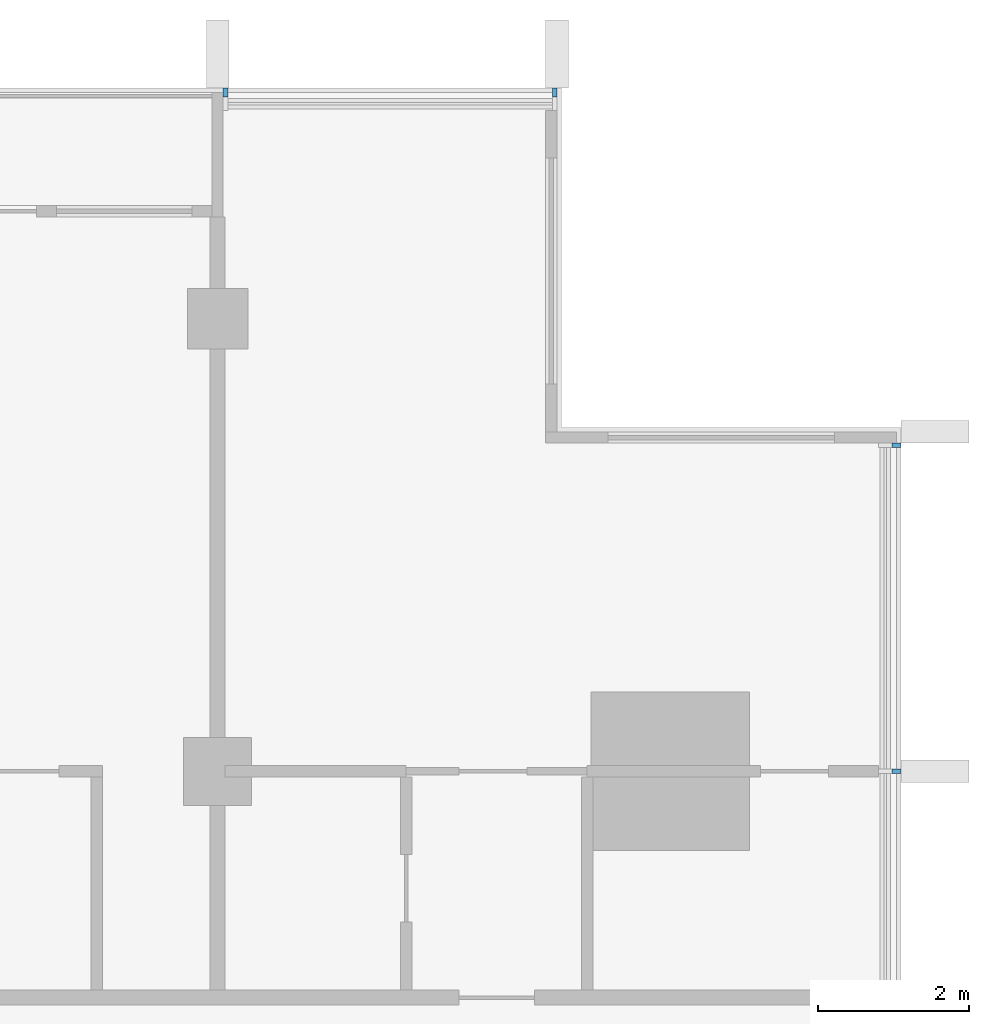
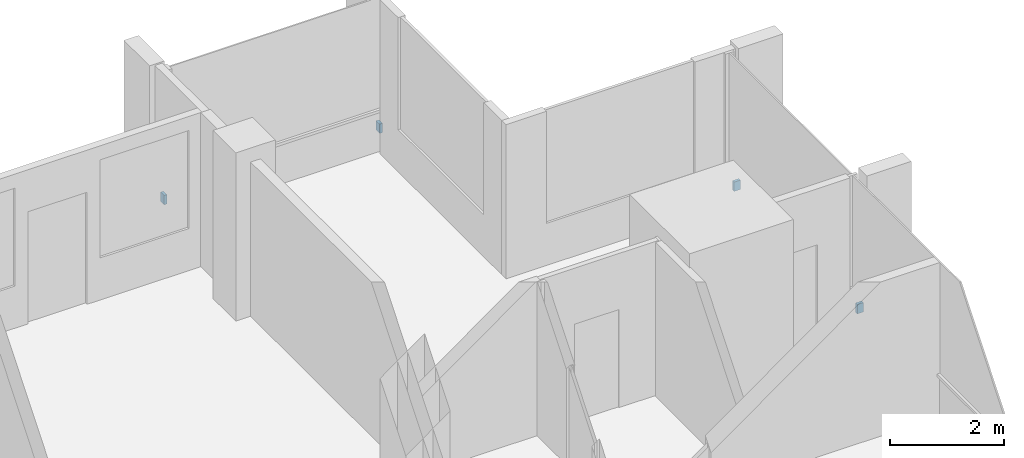
# One storey, part 15 of 16: 4 discrete accessories.
"""IFC4 building model written with IfcOpenShell, lengths in metres."""

from ifc_helpers import new_model, si_unit, direction, frame, origin, origin_2d, place, context, subcontext, project, spatial, rectangle, extrude, material, type_object, element, save


model = new_model("IFC4")

# Units and contexts
model_context = context("Model", 3, precision=1e-05, world=origin(), true_north=direction((0.0, 1.0)))
body_context = subcontext(model_context, "Body", "Model", "MODEL_VIEW")
ifc_project = project(units=[si_unit("LENGTHUNIT", "METRE"), si_unit("AREAUNIT", "SQUARE_METRE"), si_unit("VOLUMEUNIT", "CUBIC_METRE"), si_unit("PLANEANGLEUNIT", "RADIAN"), si_unit("MASSUNIT", "GRAM", prefix="KILO")], contexts=[model_context])

# Site, building, storey
site_placement = place(None, origin())
site = spatial("IfcSite", under=ifc_project, at=site_placement, CompositionType="ELEMENT")
building_placement = place(site_placement, origin())
building = spatial("IfcBuilding", under=site, at=building_placement, Name="Finial Court Residences", CompositionType="ELEMENT")
storey_placement = place(building_placement, frame((0.0, 0.0, 241.10009765625)))
storey = spatial("IfcBuildingStorey", under=building, at=storey_placement, Name="L61", CompositionType="ELEMENT", Elevation=241.10009765625)

# Discrete accessories
ifc_material = material(Name="Stainless steel 316", Category="steel")
discrete_accessory_type = type_object("IfcDiscreteAccessoryType", Name="Fin bracket, stainless steel 60 x 122 x 200", PredefinedType="BRACKET", material=ifc_material)
for number, where, z_axis, x_axis, name in (
    (1, (10.60498046875, 16.498779296875, 0.2998046875), (0.0, 0.0, 1.0), (1.0, 0.0, 0.0), "E-L61-FIN-N5-BRK"),
    (2, (14.969970703125, 16.498779296875, 0.2998046875), (0.0, 0.0, 1.0), (1.0, 0.0, 0.0), "E-L61-FIN-N6-BRK"),
):
    element("IfcDiscreteAccessory", number, at=place(storey_placement, frame(where, z_axis=z_axis, x_axis=x_axis)), inside=storey, type_object=discrete_accessory_type, Name=name, PredefinedType="BRACKET", context=body_context, shape_type="SweptSolid", body=[
        extrude(rectangle(XDim=0.06005859375, YDim=0.12255859375, at=origin_2d()), origin(), (0.0, 0.0, 1.0), 0.199951171875),
    ])
for number, where, z_axis, x_axis, name in (
    (3, (19.498779296875, 7.5, 0.2998046875), (0.0, 0.0, 1.0), (1.0, 0.0, 0.0), "E-L61-FIN-E11-BRK"),
    (4, (19.498779296875, 11.820068359375, 0.2998046875), (0.0, 0.0, 1.0), (1.0, 0.0, 0.0), "E-L61-FIN-E12-BRK"),
):
    element("IfcDiscreteAccessory", number, at=place(storey_placement, frame(where, z_axis=z_axis, x_axis=x_axis)), inside=storey, type_object=discrete_accessory_type, Name=name, PredefinedType="BRACKET", context=body_context, shape_type="SweptSolid", body=[
        extrude(rectangle(XDim=0.12255859375, YDim=0.06005859375, at=origin_2d()), origin(), (0.0, 0.0, 1.0), 0.199951171875),
    ])

save(model, "model.ifc")
